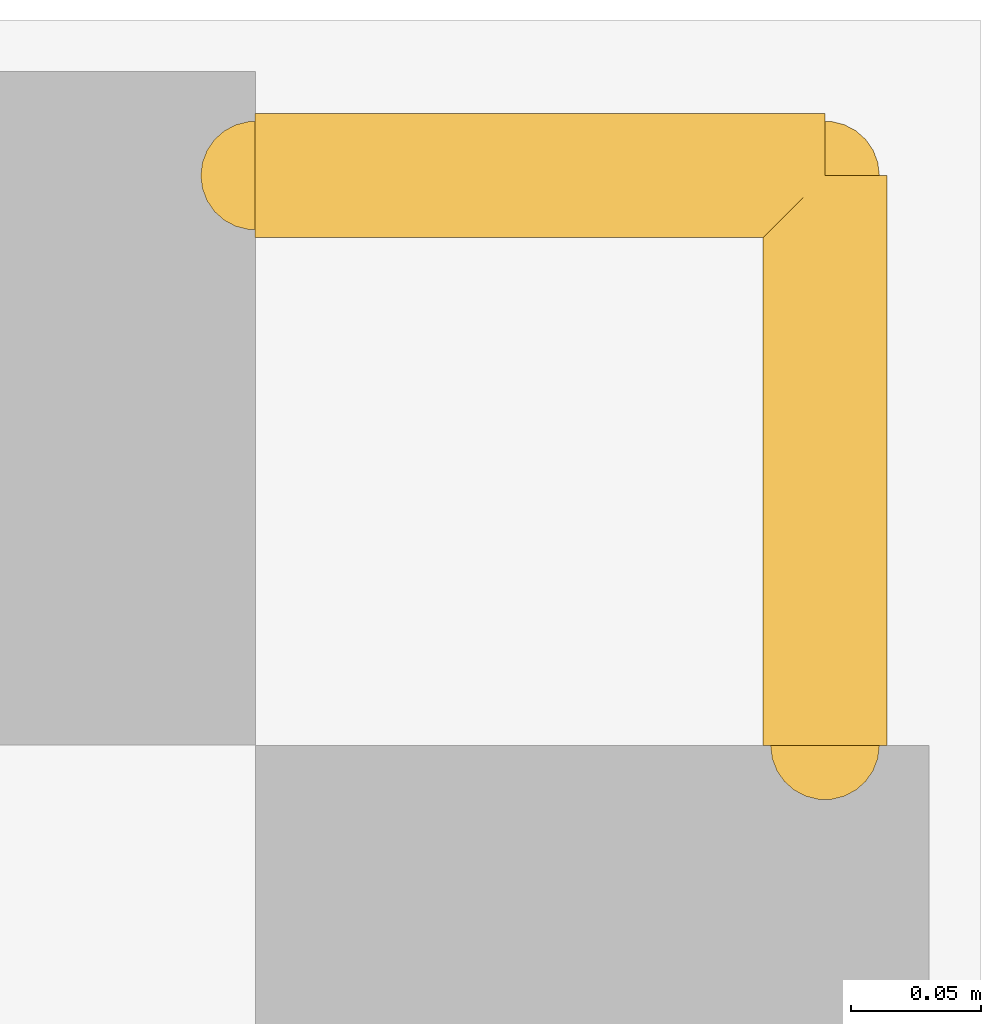
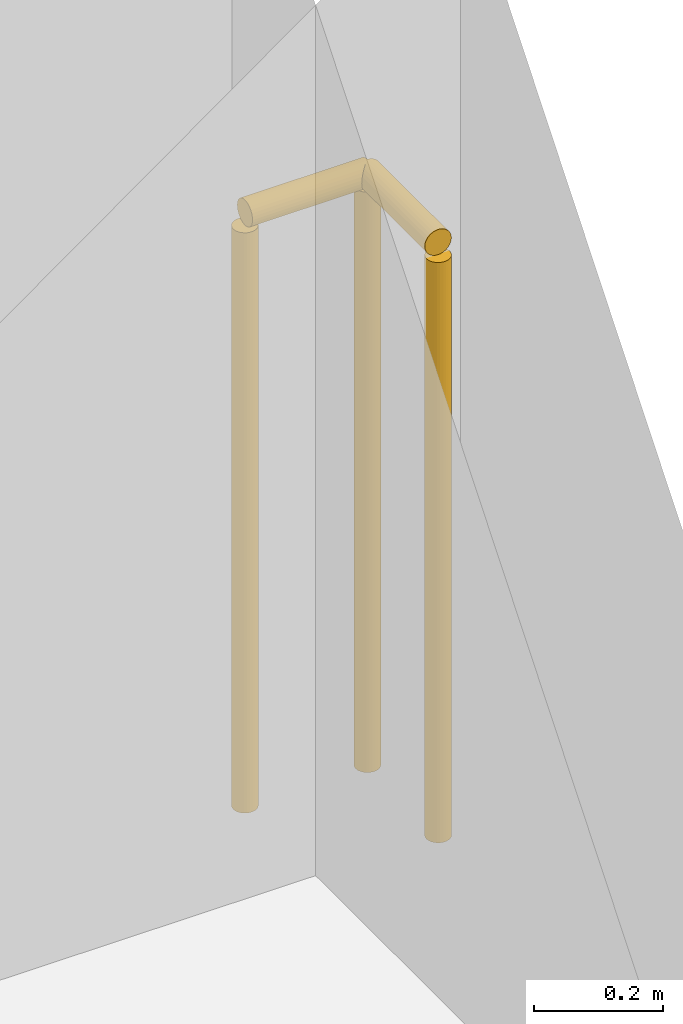
# One storey, part 25 of 25: 1 railing.
"""IFC4 building model written with IfcOpenShell, lengths in metres."""

import ifcopenshell
import ifcopenshell.guid

model = None  # the IFC model being written
_history = None  # IfcOwnerHistory: only IFC2X3 demands one
_inside = {}  # id of a spatial element -> (the spatial element, [elements in it])
_under = {}  # id of a project, library or spatial element -> (it, [spatial elements below it])
_declared = {}  # id of a project -> (the project, [libraries it declares])
_typed = {}  # id of a type object -> (the type object, [elements of that type])
_made_of = {}  # id of a material, layer set ... -> (it, [elements and type objects made of it])


def new_model(schema):
    """Start an empty IFC model of exactly this schema.

    Asked for "IFC4X3", IfcOpenShell would pick the latest addendum, in which some entities
    have other attributes; the version numbers below select the first issue.
    IFC2X3 requires an IfcOwnerHistory on every rooted entity: one is made here for all.
    """
    global model, _history
    if schema == "IFC4X3":
        model = ifcopenshell.file(schema_version=(4, 3, 0, 0))
    else:
        model = ifcopenshell.file(schema=schema)
    _inside.clear()
    _under.clear()
    _declared.clear()
    _typed.clear()
    _made_of.clear()
    _history = None
    if model.schema == "IFC2X3":
        org = make("IfcOrganization", Name="unknown")
        user = make(
            "IfcPersonAndOrganization",
            ThePerson=make("IfcPerson", FamilyName="unknown"),
            TheOrganization=org,
        )
        app = make(
            "IfcApplication",
            ApplicationDeveloper=org,
            Version="unknown",
            ApplicationFullName="unknown",
            ApplicationIdentifier="unknown",
        )
        _history = make(
            "IfcOwnerHistory",
            OwningUser=user,
            OwningApplication=app,
            ChangeAction="ADDED",
            CreationDate=0,
        )
    return model


def make(cls, **values):
    """One entity of the class cls with the attributes given. An attribute that is None is left unset."""
    return model.create_entity(
        cls, **{name: value for name, value in values.items() if value is not None}
    )


def rooted(cls, **values):
    """An entity with a GlobalId (a new one), such as an element, a storey or a relation."""
    return make(cls, GlobalId=ifcopenshell.guid.new(), OwnerHistory=_history, **values)


def si_unit(unit_type, name, prefix=None):
    """IfcSIUnit, for example si_unit("LENGTHUNIT", "METRE", prefix="MILLI")."""
    return make("IfcSIUnit", UnitType=unit_type, Prefix=prefix, Name=name)


def assignment(units):
    """IfcUnitAssignment: the units of a project."""
    return None if units is None else make("IfcUnitAssignment", Units=units)


def point(xyz):
    """IfcCartesianPoint."""
    return None if xyz is None else make("IfcCartesianPoint", Coordinates=xyz)


def direction(xyz):
    """IfcDirection."""
    return None if xyz is None else make("IfcDirection", DirectionRatios=xyz)


def frame(location, z_axis=None, x_axis=None):
    """IfcAxis2Placement3D, a coordinate frame: its origin and axes. An axis left out is left unset."""
    return make(
        "IfcAxis2Placement3D",
        Location=point(location),
        Axis=direction(z_axis),
        RefDirection=direction(x_axis),
    )


def frame_2d(location, x_axis=None):
    """IfcAxis2Placement2D, a coordinate frame in the plane: its origin and x axis."""
    return make(
        "IfcAxis2Placement2D", Location=point(location), RefDirection=direction(x_axis)
    )


def origin():
    """The frame at (0, 0, 0) with its axes left unset."""
    return frame((0.0, 0.0, 0.0))


def origin_2d():
    """The frame at (0, 0) in the plane with its x axis left unset."""
    return frame_2d((0.0, 0.0))


def place(relative_to, where):
    """IfcLocalPlacement: puts the frame where relative to a parent placement (None: the world)."""
    return make(
        "IfcLocalPlacement", PlacementRelTo=relative_to, RelativePlacement=where
    )


def context(
    kind, dimensions, precision=None, world=None, true_north=None, identifier=None
):
    """IfcGeometricRepresentationContext, for example the 3D "Model" context."""
    return make(
        "IfcGeometricRepresentationContext",
        ContextIdentifier=identifier,
        ContextType=kind,
        CoordinateSpaceDimension=dimensions,
        Precision=precision,
        WorldCoordinateSystem=world,
        TrueNorth=true_north,
    )


def subcontext(parent, identifier, kind, view, scale=None):
    """IfcGeometricRepresentationSubContext, for example "Body" below "Model"."""
    return make(
        "IfcGeometricRepresentationSubContext",
        ContextIdentifier=identifier,
        ContextType=kind,
        ParentContext=parent,
        TargetScale=scale,
        TargetView=view,
    )


def project(units=None, contexts=None):
    """IfcProject with its units and contexts."""
    return rooted(
        "IfcProject",
        Name="project",
        RepresentationContexts=contexts,
        UnitsInContext=assignment(units),
    )


def spatial(cls, under=None, at=None, **own):
    """A site, building, storey or space (cls), placed at a placement, below another one or the project."""
    s = rooted(cls, ObjectPlacement=at, **own)
    if under is not None:
        _under.setdefault(under.id(), (under, []))[1].append(s)
    return s


def profile(cls, at=None, kind="AREA", **sizes):
    """A parametric profile (cls). Its sizes go by their IFC names, for example OverallWidth=200.0."""
    return make(cls, ProfileType=kind, Position=at, **sizes)


def circle(**sizes):
    """IfcCircleProfileDef."""
    return profile("IfcCircleProfileDef", **sizes)


def extrude(swept, where, along, depth):
    """IfcExtrudedAreaSolid: the profile swept, set in the frame where, extruded along a direction by depth."""
    return make(
        "IfcExtrudedAreaSolid",
        SweptArea=swept,
        Position=where,
        ExtrudedDirection=direction(along),
        Depth=depth,
    )


def shape(context_of_items, identifier, shape_type, items):
    """IfcShapeRepresentation: the items that make up one representation, for example the "Body"."""
    return make(
        "IfcShapeRepresentation",
        ContextOfItems=context_of_items,
        RepresentationIdentifier=identifier,
        RepresentationType=shape_type,
        Items=items,
    )


def material(Name=None, Category=None):
    """IfcMaterial."""
    return make("IfcMaterial", Name=Name, Category=Category)


def made_of(thing, what):
    """Note that an element or type object is made of a material, layer set ...; save() writes the relation."""
    if what is not None:
        _made_of.setdefault(what.id(), (what, []))[1].append(thing)
    return thing


def type_object(cls, material=None, **own):
    """A type object (cls), such as IfcWallType, which elements share."""
    return made_of(rooted(cls, **own), material)


def element(
    cls,
    number,
    at=None,
    inside=None,
    cuts=None,
    type_object=None,
    material=None,
    context=None,
    identifier="Body",
    shape_type=None,
    held_by="IfcProductDefinitionShape",
    body=None,
    shapes=None,
    **own,
):
    """One element of the class cls, such as IfcWall. Its Tag is "e" and its number.

    at: its placement. inside: the storey or other place that contains it. cuts: it is an
    opening in that element (IfcRelVoidsElement). A single representation is given by context,
    identifier, shape_type and body (its items); several are given by shapes. held_by: the class
    of the entity that holds the representations. save() writes the other relations.
    """
    e = rooted(cls, Tag="e%d" % number, ObjectPlacement=at, **own)
    if body is not None:
        shapes = [shape(context, identifier, shape_type, body)]
    if shapes is not None:
        e.Representation = make(held_by, Representations=shapes)
    if inside is not None:
        _inside.setdefault(inside.id(), (inside, []))[1].append(e)
    if cuts is not None:
        rooted(
            "IfcRelVoidsElement", RelatingBuildingElement=cuts, RelatedOpeningElement=e
        )
    if type_object is not None:
        _typed.setdefault(type_object.id(), (type_object, []))[1].append(e)
    return made_of(e, material)


def aggregate(whole, parts):
    """IfcRelAggregates: a whole, such as a stair, and the parts it consists of."""
    return rooted("IfcRelAggregates", RelatingObject=whole, RelatedObjects=parts)


def save(model, path):
    """Write the relations noted so far, then the file.

    IfcRelAggregates (storeys below a building ...), IfcRelContainedInSpatialStructure (elements
    in a storey), IfcRelDefinesByType, IfcRelAssociatesMaterial and IfcRelDeclares: one each for
    every whole, place, type object, material and project.
    """
    for whole, parts in _under.values():
        aggregate(whole, parts)
    for where, things in _inside.values():
        rooted(
            "IfcRelContainedInSpatialStructure",
            RelatedElements=things,
            RelatingStructure=where,
        )
    for kind, things in _typed.values():
        rooted("IfcRelDefinesByType", RelatedObjects=things, RelatingType=kind)
    for what, things in _made_of.values():
        rooted("IfcRelAssociatesMaterial", RelatedObjects=things, RelatingMaterial=what)
    for by, libraries in _declared.values():
        rooted("IfcRelDeclares", RelatingContext=by, RelatedDefinitions=libraries)
    model.write(path)


model = new_model("IFC4")

# Units and contexts
model_context = context("Model", 3, precision=1e-05, world=origin(), true_north=direction((0.0, 1.0)))
body_context = subcontext(model_context, "Body", "Model", "MODEL_VIEW")
ifc_project = project(units=[si_unit("LENGTHUNIT", "METRE"), si_unit("AREAUNIT", "SQUARE_METRE"), si_unit("VOLUMEUNIT", "CUBIC_METRE"), si_unit("PLANEANGLEUNIT", "RADIAN"), si_unit("MASSUNIT", "GRAM", prefix="KILO")], contexts=[model_context])

# Site, building, storey
site_placement = place(None, origin())
site = spatial("IfcSite", under=ifc_project, at=site_placement, CompositionType="ELEMENT")
building_placement = place(site_placement, origin())
building = spatial("IfcBuilding", under=site, at=building_placement, Name="Solvane Sanctuary Tower", CompositionType="ELEMENT")
storey_placement = place(building_placement, frame((0.0, 0.0, 13.800048828125)))
storey = spatial("IfcBuildingStorey", under=building, at=storey_placement, Name="L04", CompositionType="ELEMENT", Elevation=13.800048828125)

# Railing
ifc_material = material(Name="Architectural Stainless Steel 316", Category="steel")
railing_type = type_object("IfcRailingType", Name="Railing GR-BALC-1150", PredefinedType="BALUSTRADE", material=ifc_material)
railing_placement = place(storey_placement, frame((63.719970703125, 45.93994140625, 0.0)))
element("IfcRailing", 1, at=railing_placement, inside=storey, type_object=railing_type, Name="L04 Perimeter Slab Edge Guardrail 03", PredefinedType="BALUSTRADE", context=body_context, shape_type="SweptSolid", body=[
    extrude(circle(Radius=0.02392578125, at=origin_2d()), frame((0.0, 0.0, 1.1259765625), z_axis=(1.0, 0.0, 0.0), x_axis=(0.0, 1.0, 0.0)), (0.0, 0.0, 1.0), 0.219970703125),
    extrude(circle(Radius=0.02392578125, at=origin_2d()), frame((0.219970703125, 0.0, 1.1259765625), z_axis=(0.0, -1.0, 0.0), x_axis=(1.0, 0.0, 0.0)), (0.0, 0.0, 1.0), 0.219970703125),
    extrude(circle(Radius=0.02099609375, at=origin_2d()), origin(), (0.0, 0.0, 1.0), 1.101806640625),
    extrude(circle(Radius=0.02099609375, at=origin_2d()), frame((0.219970703125, 0.0, 0.0)), (0.0, 0.0, 1.0), 1.101806640625),
    extrude(circle(Radius=0.02099609375, at=origin_2d()), frame((0.219970703125, -0.219970703125, 0.0)), (0.0, 0.0, 1.0), 1.101806640625),
])

save(model, "model.ifc")
